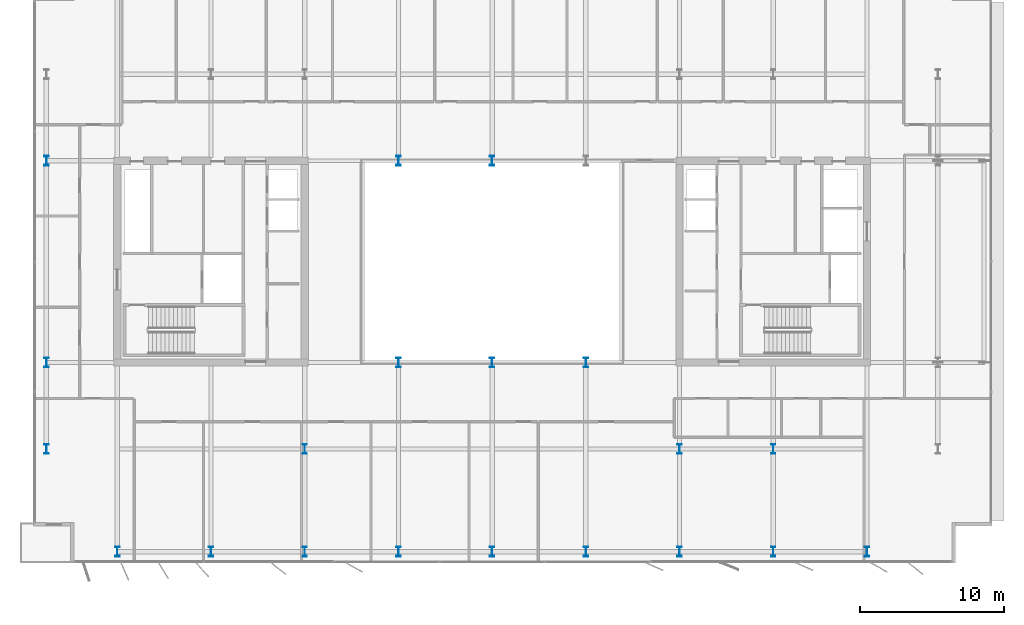
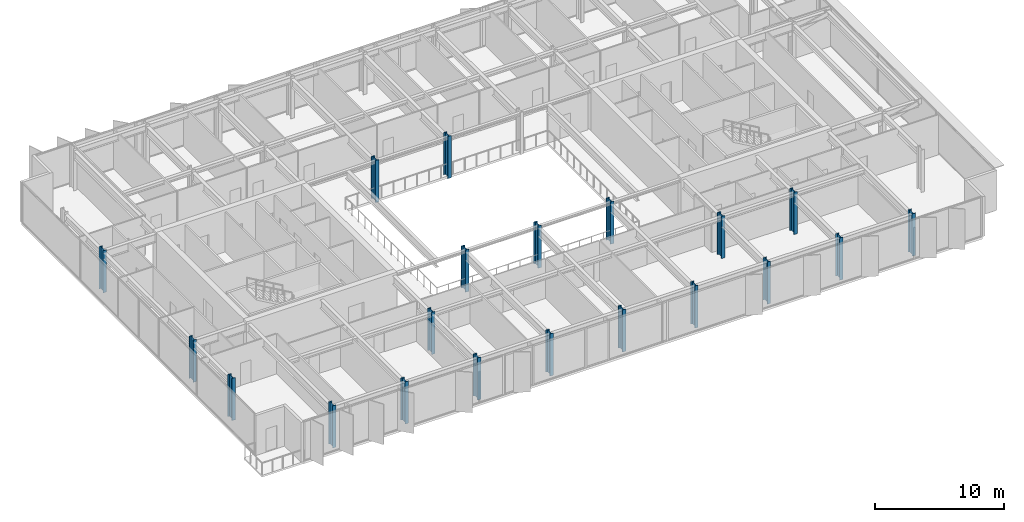
# One storey, part 1 of 20: 20 columns.
"""IFC4 building model written with IfcOpenShell, lengths in metres."""

from ifc_helpers import new_model, si_unit, direction, frame, origin, origin_2d, place, context, subcontext, project, spatial, i_section, extrude, material, material_profile, profile_set, type_object, element, save


model = new_model("IFC4")

# Units and contexts
model_context = context("Model", 3, precision=1e-05, world=origin(), true_north=direction((0.0, 1.0)))
body_context = subcontext(model_context, "Body", "Model", "MODEL_VIEW")
ifc_project = project(units=[si_unit("LENGTHUNIT", "METRE"), si_unit("AREAUNIT", "SQUARE_METRE"), si_unit("VOLUMEUNIT", "CUBIC_METRE"), si_unit("PLANEANGLEUNIT", "RADIAN"), si_unit("MASSUNIT", "GRAM", prefix="KILO")], contexts=[model_context])

# Site, building, storey
site_placement = place(None, origin())
site = spatial("IfcSite", under=ifc_project, at=site_placement, CompositionType="ELEMENT")
building_placement = place(site_placement, origin())
building = spatial("IfcBuilding", under=site, at=building_placement, Name="Putna Gate Headquarters", CompositionType="ELEMENT")
storey_placement = place(building_placement, frame((0.0, 0.0, 294.39990234375)))
storey = spatial("IfcBuildingStorey", under=building, at=storey_placement, Name="L74", CompositionType="ELEMENT", Elevation=294.39990234375)

# Columns
ifc_material = material(Name="Steel S460M", Category="steel")
ifc_material_profile_1 = material_profile(ifc_material, i_section(OverallWidth=0.304931640625, OverallDepth=0.66796875, WebThickness=0.02099609375, FlangeThickness=0.0400390625, at=origin_2d()), Name="Steel S460M")
ifc_profile_set_1 = profile_set([ifc_material_profile_1], Name="Steel S460M")
column_type_1 = type_object("IfcColumnType", Name="COL-STL-HEM650-EXT", PredefinedType="COLUMN", material=ifc_profile_set_1)
for number, where, z_axis, x_axis, name in (
    (1, (13.0, 5.8798828125, 0.0), (0.0, 0.0, 1.0), (1.0, 0.0, 0.0), "L74 Column CP-S13"),
    (2, (19.5, 5.8798828125, 0.0), (0.0, 0.0, 1.0), (1.0, 0.0, 0.0), "L74 Column CP-S19"),
    (3, (26.0, 5.8798828125, 0.0), (0.0, 0.0, 1.0), (1.0, 0.0, 0.0), "L74 Column CP-S26"),
    (4, (32.5, 5.8798828125, 0.0), (0.0, 0.0, 1.0), (1.0, 0.0, 0.0), "L74 Column CP-S32"),
    (5, (39.0, 5.8798828125, 0.0), (0.0, 0.0, 1.0), (1.0, 0.0, 0.0), "L74 Column CP-S39"),
    (6, (45.5, 5.8798828125, 0.0), (0.0, 0.0, 1.0), (1.0, 0.0, 0.0), "L74 Column CP-S45"),
    (7, (52.0, 5.8798828125, 0.0), (0.0, 0.0, 1.0), (1.0, 0.0, 0.0), "L74 Column CP-S52"),
    (8, (58.5, 5.8798828125, 0.0), (0.0, 0.0, 1.0), (1.0, 0.0, 0.0), "L74 Column CP-S58"),
    (9, (65.0, 5.8798828125, 0.0), (0.0, 0.0, 1.0), (1.0, 0.0, 0.0), "L74 Column CP-S65"),
    (10, (8.080078125, 13.0, 0.0), (0.0, 0.0, 1.0), (1.0, 0.0, 0.0), "L74 Column CP-W13"),
    (11, (8.080078125, 19.0, 0.0), (0.0, 0.0, 1.0), (1.0, 0.0, 0.0), "L74 Column CP-W19"),
    (12, (8.080078125, 33.0, 0.0), (0.0, 0.0, 1.0), (1.0, 0.0, 0.0), "L74 Column CP-W33"),
):
    element("IfcColumn", number, at=place(storey_placement, frame(where, z_axis=z_axis, x_axis=x_axis)), inside=storey, type_object=column_type_1, Name=name, PredefinedType="COLUMN", context=body_context, shape_type="SweptSolid", body=[
        extrude(i_section(OverallWidth=0.304931640625, OverallDepth=0.66796875, WebThickness=0.02099609375, FlangeThickness=0.0400390625, at=origin_2d()), origin(), (0.0, 0.0, 1.0), 4.0),
    ])
ifc_material_profile_2 = material_profile(ifc_material, i_section(OverallWidth=0.304931640625, OverallDepth=0.66796875, WebThickness=0.02099609375, FlangeThickness=0.0400390625, at=origin_2d()), Name="Steel S460M")
ifc_profile_set_2 = profile_set([ifc_material_profile_2], Name="Steel S460M")
column_type_2 = type_object("IfcColumnType", Name="COL-STL-HEM650-INT", PredefinedType="COLUMN", material=ifc_profile_set_2)
for number, where, z_axis, x_axis, name in (
    (13, (58.5, 13.0, 0.0), (0.0, 0.0, 1.0), (1.0, 0.0, 0.0), "L74 Column CSI-ES"),
    (14, (32.5, 19.0, 0.0), (0.0, 0.0, 1.0), (1.0, 0.0, 0.0), "L74 Column CAI-S32"),
    (15, (32.5, 33.0, 0.0), (0.0, 0.0, 1.0), (1.0, 0.0, 0.0), "L74 Column CAI-N32"),
    (16, (39.0, 19.0, 0.0), (0.0, 0.0, 1.0), (1.0, 0.0, 0.0), "L74 Column CAI-S39"),
    (17, (39.0, 33.0, 0.0), (0.0, 0.0, 1.0), (1.0, 0.0, 0.0), "L74 Column CAI-N39"),
    (18, (45.5, 19.0, 0.0), (0.0, 0.0, 1.0), (1.0, 0.0, 0.0), "L74 Column CAI-S45"),
    (19, (26.0, 13.0, 0.0), (0.0, 0.0, 1.0), (1.0, 0.0, 0.0), "L74 Column CAP-WS"),
    (20, (52.0, 13.0, 0.0), (0.0, 0.0, 1.0), (1.0, 0.0, 0.0), "L74 Column CAP-ES"),
):
    element("IfcColumn", number, at=place(storey_placement, frame(where, z_axis=z_axis, x_axis=x_axis)), inside=storey, type_object=column_type_2, Name=name, PredefinedType="COLUMN", context=body_context, shape_type="SweptSolid", body=[
        extrude(i_section(OverallWidth=0.304931640625, OverallDepth=0.66796875, WebThickness=0.02099609375, FlangeThickness=0.0400390625, at=origin_2d()), origin(), (0.0, 0.0, 1.0), 4.0),
    ])

save(model, "model.ifc")
